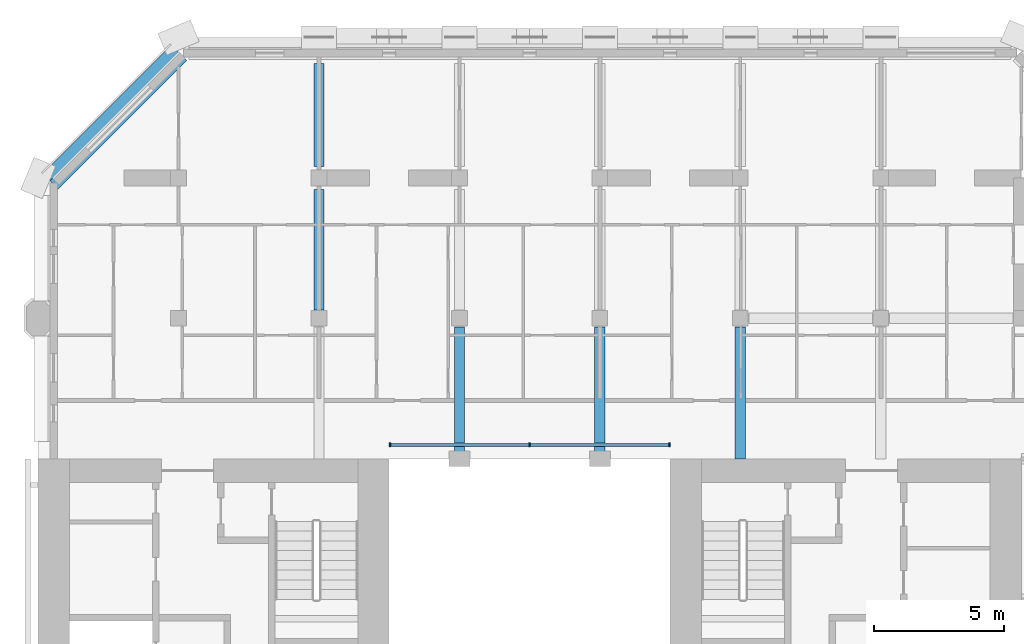
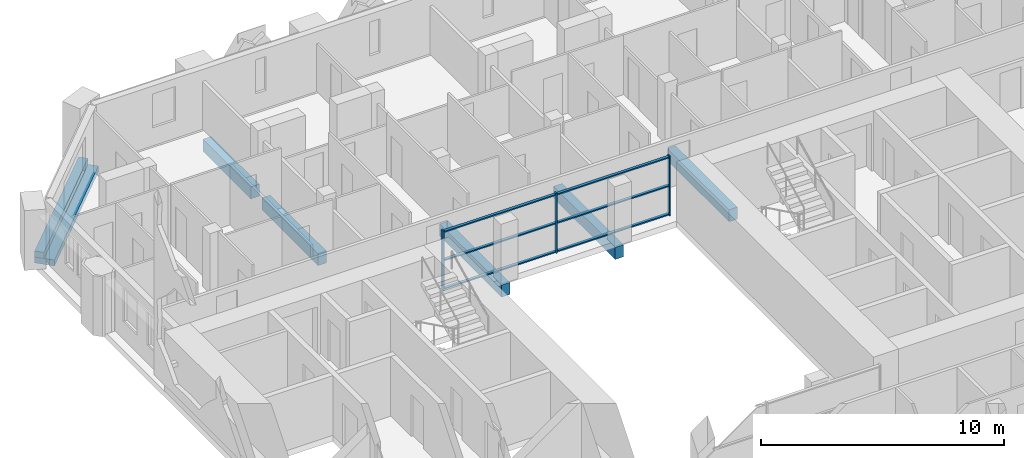
# One storey, part 6 of 17: 9 members, 7 beams, 1 element without a shape of its own.
"""IFC4 building model written with IfcOpenShell, lengths in metres."""

from ifc_helpers import new_model, si_unit, direction, frame, origin, origin_2d, place, context, subcontext, project, spatial, rectangle, extrude, material, material_profile, profile_set, type_object, element, aggregate, save


model = new_model("IFC4")

# Units and contexts
model_context = context("Model", 3, precision=1e-05, world=origin(), true_north=direction((0.0, 1.0)))
body_context = subcontext(model_context, "Body", "Model", "MODEL_VIEW")
ifc_project = project(units=[si_unit("LENGTHUNIT", "METRE"), si_unit("AREAUNIT", "SQUARE_METRE"), si_unit("VOLUMEUNIT", "CUBIC_METRE"), si_unit("PLANEANGLEUNIT", "RADIAN"), si_unit("MASSUNIT", "GRAM", prefix="KILO")], contexts=[model_context])

# Site, building, storey
site_placement = place(None, origin())
site = spatial("IfcSite", under=ifc_project, at=site_placement, CompositionType="ELEMENT")
building_placement = place(site_placement, origin())
building = spatial("IfcBuilding", under=site, at=building_placement, Name="Tabaq Tower and Sports Hall", CompositionType="ELEMENT")
storey_placement = place(building_placement, frame((0.0, 0.0, 288.39990234375)))
storey = spatial("IfcBuildingStorey", under=building, at=storey_placement, Name="L71", CompositionType="ELEMENT", Elevation=288.39990234375)

# Curtain wall, members
ifc_material_1 = material(Name="Aluminium alloy 6063-T6 framed glazing", Category="aluminium")
curtain_wall_type = type_object("IfcCurtainWallType", Name="CW1 curtain wall", PredefinedType="USERDEFINED", material=ifc_material_1)
curtain_wall_placement = place(storey_placement, origin())
curtain_wall = element("IfcCurtainWall", 1, at=curtain_wall_placement, inside=storey, type_object=curtain_wall_type, Name="Atrium glazing L71 N", ObjectType="ATRIUM ENCLOSURE", PredefinedType="USERDEFINED")
ifc_material_2 = material(Name="Aluminium alloy 6063-T6", Category="aluminium")
ifc_material_profile_1 = material_profile(ifc_material_2, rectangle(XDim=0.159912109375, YDim=0.06005859375, at=origin_2d()), Name="MULLION 160x60")
ifc_profile_set_1 = profile_set([ifc_material_profile_1], Name="Aluminium alloy 6063-T6")
member_type_1 = type_object("IfcMemberType", Name="CW1 mullion 160x60", PredefinedType="MULLION", material=ifc_profile_set_1)
member_1_placement = place(storey_placement, frame((18.929931640625, 32.949951171875, 0.0), z_axis=(0.0, 0.0, 1.0), x_axis=(0.0, 1.0, 0.0)))
member_1 = element("IfcMember", 2, at=member_1_placement, type_object=member_type_1, Name="CW1 mullion 1", PredefinedType="MULLION", context=body_context, shape_type="SweptSolid", body=[
    extrude(rectangle(XDim=0.159912109375, YDim=0.06005859375, at=origin_2d()), origin(), (0.0, 0.0, 1.0), 3.0),
])
member_2_placement = place(storey_placement, frame((24.300048828125, 32.949951171875, 0.0), z_axis=(0.0, 0.0, 1.0), x_axis=(0.0, 1.0, 0.0)))
member_2 = element("IfcMember", 3, at=member_2_placement, type_object=member_type_1, Name="CW1 mullion 2", PredefinedType="MULLION", context=body_context, shape_type="SweptSolid", body=[
    extrude(rectangle(XDim=0.159912109375, YDim=0.06005859375, at=origin_2d()), origin(), (0.0, 0.0, 1.0), 3.0),
])
member_3_placement = place(storey_placement, frame((29.669921875, 32.949951171875, 0.0), z_axis=(0.0, 0.0, 1.0), x_axis=(0.0, 1.0, 0.0)))
member_3 = element("IfcMember", 4, at=member_3_placement, type_object=member_type_1, Name="CW1 mullion 3", PredefinedType="MULLION", context=body_context, shape_type="SweptSolid", body=[
    extrude(rectangle(XDim=0.159912109375, YDim=0.06005859375, at=origin_2d()), origin(), (0.0, 0.0, 1.0), 3.0),
])
ifc_material_3 = material(Name="Aluminium alloy 6063-T6", Category="aluminium")
ifc_material_profile_2 = material_profile(ifc_material_3, rectangle(XDim=0.139892578125, YDim=0.06005859375, at=origin_2d()), Name="TRANSOM 140x60")
ifc_profile_set_2 = profile_set([ifc_material_profile_2], Name="Aluminium alloy 6063-T6")
member_type_2 = type_object("IfcMemberType", Name="CW1 transom 140x60", PredefinedType="USERDEFINED", material=ifc_profile_set_2)
member_4_placement = place(storey_placement, frame((18.9599609375, 32.949951171875, 0.070068359375), z_axis=(1.0, 0.0, 0.0), x_axis=(0.0, 1.0, 0.0)))
member_4 = element("IfcMember", 5, at=member_4_placement, type_object=member_type_2, Name="CW1 transom 1.1", ObjectType="TRANSOM", PredefinedType="USERDEFINED", context=body_context, shape_type="SweptSolid", body=[
    extrude(rectangle(XDim=0.139892578125, YDim=0.06005859375, at=origin_2d()), origin(), (0.0, 0.0, 1.0), 5.31005859375),
])
member_5_placement = place(storey_placement, frame((18.9599609375, 32.949951171875, 1.5), z_axis=(1.0, 0.0, 0.0), x_axis=(0.0, 1.0, 0.0)))
member_5 = element("IfcMember", 6, at=member_5_placement, type_object=member_type_2, Name="CW1 transom 1.2", ObjectType="TRANSOM", PredefinedType="USERDEFINED", context=body_context, shape_type="SweptSolid", body=[
    extrude(rectangle(XDim=0.139892578125, YDim=0.06005859375, at=origin_2d()), origin(), (0.0, 0.0, 1.0), 5.31005859375),
])
member_6_placement = place(storey_placement, frame((18.9599609375, 32.949951171875, 2.93017578125), z_axis=(1.0, 0.0, 0.0), x_axis=(0.0, 1.0, 0.0)))
member_6 = element("IfcMember", 7, at=member_6_placement, type_object=member_type_2, Name="CW1 transom 1.3", ObjectType="TRANSOM", PredefinedType="USERDEFINED", context=body_context, shape_type="SweptSolid", body=[
    extrude(rectangle(XDim=0.139892578125, YDim=0.06005859375, at=origin_2d()), origin(), (0.0, 0.0, 1.0), 5.31005859375),
])
member_7_placement = place(storey_placement, frame((24.330078125, 32.949951171875, 0.070068359375), z_axis=(1.0, 0.0, 0.0), x_axis=(0.0, 1.0, 0.0)))
member_7 = element("IfcMember", 8, at=member_7_placement, type_object=member_type_2, Name="CW1 transom 2.1", ObjectType="TRANSOM", PredefinedType="USERDEFINED", context=body_context, shape_type="SweptSolid", body=[
    extrude(rectangle(XDim=0.139892578125, YDim=0.06005859375, at=origin_2d()), origin(), (0.0, 0.0, 1.0), 5.309814453125),
])
member_8_placement = place(storey_placement, frame((24.330078125, 32.949951171875, 1.5), z_axis=(1.0, 0.0, 0.0), x_axis=(0.0, 1.0, 0.0)))
member_8 = element("IfcMember", 9, at=member_8_placement, type_object=member_type_2, Name="CW1 transom 2.2", ObjectType="TRANSOM", PredefinedType="USERDEFINED", context=body_context, shape_type="SweptSolid", body=[
    extrude(rectangle(XDim=0.139892578125, YDim=0.06005859375, at=origin_2d()), origin(), (0.0, 0.0, 1.0), 5.309814453125),
])
member_9_placement = place(storey_placement, frame((24.330078125, 32.949951171875, 2.93017578125), z_axis=(1.0, 0.0, 0.0), x_axis=(0.0, 1.0, 0.0)))
member_9 = element("IfcMember", 10, at=member_9_placement, type_object=member_type_2, Name="CW1 transom 2.3", ObjectType="TRANSOM", PredefinedType="USERDEFINED", context=body_context, shape_type="SweptSolid", body=[
    extrude(rectangle(XDim=0.139892578125, YDim=0.06005859375, at=origin_2d()), origin(), (0.0, 0.0, 1.0), 5.309814453125),
])
aggregate(curtain_wall, [member_1, member_2, member_3, member_4, member_5, member_6, member_7, member_8, member_9])

# Beams
ifc_material_4 = material(Name="Concrete C40/50", Category="concrete")
ifc_material_profile_3 = material_profile(ifc_material_4, rectangle(XDim=0.39990234375, YDim=0.60009765625, at=origin_2d()), Name="CB 400x600")
ifc_profile_set_3 = profile_set([ifc_material_profile_3], Name="Concrete C40/50")
beam_type_1 = type_object("IfcBeamType", Name="PT CANTILEVER BEAM CB 400x600 C40/50", PredefinedType="BEAM", material=ifc_profile_set_3)
beam_1_placement = place(storey_placement, frame((16.199951171875, 47.60009765625, -0.599853515625), z_axis=(0.0, -1.0, 0.0), x_axis=(1.0, 0.0, 0.0)))
element("IfcBeam", 11, at=beam_1_placement, inside=storey, type_object=beam_type_1, Name="Cantilever Beam L71 N3 span 1", PredefinedType="BEAM", context=body_context, shape_type="SweptSolid", body=[
    extrude(rectangle(XDim=0.39990234375, YDim=0.60009765625, at=origin_2d()), origin(), (0.0, 0.0, 1.0), 3.9501953125),
])
beam_2_placement = place(storey_placement, frame((16.199951171875, 42.75, -0.599853515625), z_axis=(0.0, -1.0, 0.0), x_axis=(1.0, 0.0, 0.0)))
element("IfcBeam", 12, at=beam_2_placement, inside=storey, type_object=beam_type_1, Name="Cantilever Beam L71 N3 span 2", PredefinedType="BEAM", context=body_context, shape_type="SweptSolid", body=[
    extrude(rectangle(XDim=0.39990234375, YDim=0.60009765625, at=origin_2d()), origin(), (0.0, 0.0, 1.0), 4.625),
])
for number, where, z_axis, x_axis, name in (
    (13, (21.60009765625, 37.47509765625, -0.599853515625), (0.0, -1.0, 0.0), (1.0, 0.0, 0.0), "Cantilever Beam L71 N4 span 3"),
    (14, (27.0, 37.47509765625, -0.599853515625), (0.0, -1.0, 0.0), (1.0, 0.0, 0.0), "Cantilever Beam L71 N5 span 3"),
    (15, (32.39990234375, 37.47509765625, -0.599853515625), (0.0, -1.0, 0.0), (1.0, 0.0, 0.0), "Cantilever Beam L71 N6 span 3"),
):
    element("IfcBeam", number, at=place(storey_placement, frame(where, z_axis=z_axis, x_axis=x_axis)), inside=storey, type_object=beam_type_1, Name=name, PredefinedType="BEAM", context=body_context, shape_type="SweptSolid", body=[
        extrude(rectangle(XDim=0.39990234375, YDim=0.60009765625, at=origin_2d()), origin(), (0.0, 0.0, 1.0), 5.0751953125),
    ])
ifc_material_5 = material(Name="Concrete C40/50", Category="concrete")
ifc_material_profile_4 = material_profile(ifc_material_5, rectangle(XDim=0.85009765625, YDim=0.300048828125, at=origin_2d()), Name="EB 850x300")
ifc_profile_set_4 = profile_set([ifc_material_profile_4], Name="Concrete C40/50")
beam_type_2 = type_object("IfcBeamType", Name="PT EDGE BEAM EB 850x300 C40/50", PredefinedType="SPANDREL", material=ifc_profile_set_4)
beam_3_placement = place(storey_placement, frame((10.816162109375, 48.01513671875, -0.14990234375), z_axis=(-0.707106781187, -0.707106781187, 0.0), x_axis=(0.707106781187, -0.707106781187, 0.0)))
element("IfcBeam", 16, at=beam_3_placement, inside=storey, type_object=beam_type_2, Name="Edge Beam L71 4", PredefinedType="SPANDREL", context=body_context, shape_type="SweptSolid", body=[
    extrude(rectangle(XDim=0.85009765625, YDim=0.300048828125, at=origin_2d()), origin(), (0.0, 0.0, 1.0), 6.98486328125),
])
ifc_material_6 = material(Name="Concrete C40/50", Category="concrete")
ifc_material_profile_5 = material_profile(ifc_material_6, rectangle(XDim=0.39990234375, YDim=0.300048828125, at=origin_2d()), Name="EU 400x300")
ifc_profile_set_5 = profile_set([ifc_material_profile_5], Name="Concrete C40/50")
beam_type_3 = type_object("IfcBeamType", Name="PT EDGE UPSTAND EU 400x300 C40/50", PredefinedType="BEAM", material=ifc_profile_set_5)
beam_4_placement = place(storey_placement, frame((10.6572265625, 48.17431640625, 0.150146484375), z_axis=(-0.707106781187, -0.707106781187, 0.0), x_axis=(0.707106781187, -0.707106781187, 0.0)))
element("IfcBeam", 17, at=beam_4_placement, inside=storey, type_object=beam_type_3, Name="Edge Upstand L71 4", PredefinedType="BEAM", context=body_context, shape_type="SweptSolid", body=[
    extrude(rectangle(XDim=0.39990234375, YDim=0.300048828125, at=origin_2d()), origin(), (0.0, 0.0, 1.0), 6.98486328125),
])

save(model, "model.ifc")
